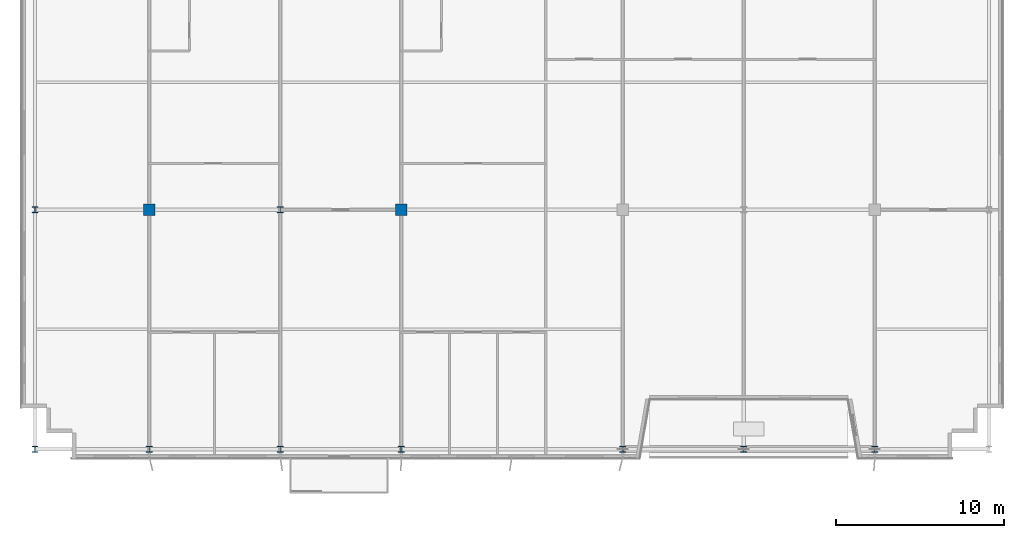
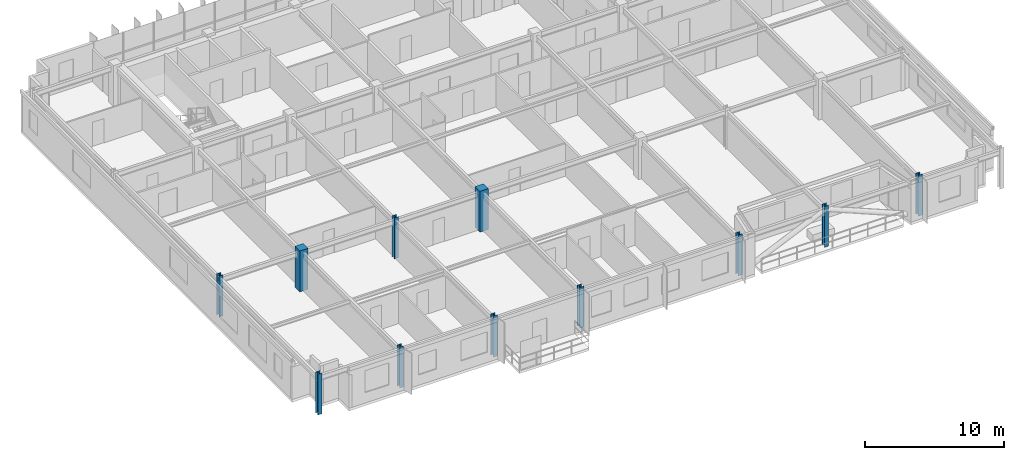
# One storey, part 1 of 23: 11 columns.
"""IFC4 building model written with IfcOpenShell, lengths in metres."""

from ifc_helpers import new_model, si_unit, direction, frame, origin, origin_2d, place, context, subcontext, project, spatial, rectangle, i_section, extrude, source, transform, mapped, material, material_profile, profile_set, type_object, element, save


model = new_model("IFC4")

# Units and contexts
model_context = context("Model", 3, precision=1e-05, world=origin(), true_north=direction((0.0, 1.0)))
body_context = subcontext(model_context, "Body", "Model", "MODEL_VIEW")
ifc_project = project(units=[si_unit("LENGTHUNIT", "METRE"), si_unit("AREAUNIT", "SQUARE_METRE"), si_unit("VOLUMEUNIT", "CUBIC_METRE"), si_unit("PLANEANGLEUNIT", "RADIAN"), si_unit("MASSUNIT", "GRAM", prefix="KILO")], contexts=[model_context])

# Site, building, storey
site_placement = place(None, origin())
site = spatial("IfcSite", under=ifc_project, at=site_placement, CompositionType="ELEMENT")
building_placement = place(site_placement, origin())
building = spatial("IfcBuilding", under=site, at=building_placement, Name="Trelvane Seafront Commons", CompositionType="ELEMENT")
storey_placement = place(building_placement, frame((0.0, 0.0, 230.10009765625)))
storey = spatial("IfcBuildingStorey", under=building, at=storey_placement, Name="L60", CompositionType="ELEMENT", Elevation=230.10009765625)

# Columns
ifc_material_1 = material(Name="Concrete C50/60", Category="concrete")
ifc_material_profile_1 = material_profile(ifc_material_1, rectangle(XDim=0.699951171875, YDim=0.699951171875, at=origin_2d()), Name="RC-700x700")
ifc_profile_set_1 = profile_set([ifc_material_profile_1], Name="Concrete C50/60")
column_type_1 = type_object("IfcColumnType", Name="STR-COL-RC700", PredefinedType="COLUMN", material=ifc_profile_set_1)
shared_shape_1 = source(origin(), body_context, "Body", "SweptSolid", [
    extrude(rectangle(XDim=0.699951171875, YDim=0.699951171875, at=origin_2d()), origin(), (0.0, 0.0, 1.0), 3.599853515625),
])
for number, where, z_axis, x_axis, name in (
    (1, (15.60009765625, 18.199951171875, 0.0), (0.0, 0.0, 1.0), (1.0, 0.0, 0.0), "L60 Column TC-M15.6"),
    (2, (30.60009765625, 18.199951171875, 0.0), (0.0, 0.0, 1.0), (1.0, 0.0, 0.0), "L60 Column TC-M30.6"),
):
    element("IfcColumn", number, at=place(storey_placement, frame(where, z_axis=z_axis, x_axis=x_axis)), inside=storey, type_object=column_type_1, Name=name, PredefinedType="COLUMN", context=body_context, shape_type="MappedRepresentation", body=[
        mapped(shared_shape_1, transform((0.0, 0.0, 0.0), x_axis=(1.0, 0.0, 0.0), y_axis=(0.0, 1.0, 0.0), z_axis=(0.0, 0.0, 1.0), scale=1.0)),
    ])
ifc_material_2 = material(Name="Steel SM355 (S355)", Category="steel")
ifc_material_profile_2 = material_profile(ifc_material_2, i_section(OverallWidth=0.35009765625, OverallDepth=0.35009765625, WebThickness=0.01806640625, FlangeThickness=0.028076171875, at=origin_2d()), Name="HD-350x350x18x28")
ifc_profile_set_2 = profile_set([ifc_material_profile_2], Name="Steel SM355 (S355)")
column_type_2 = type_object("IfcColumnType", Name="STR-COL-HD350", PredefinedType="COLUMN", material=ifc_profile_set_2)
shared_shape_2 = source(origin(), body_context, "Body", "SweptSolid", [
    extrude(i_section(OverallWidth=0.35009765625, OverallDepth=0.35009765625, WebThickness=0.01806640625, FlangeThickness=0.028076171875, at=origin_2d()), origin(), (0.0, 0.0, 1.0), 3.599853515625),
])
for number, where, z_axis, x_axis, name in (
    (3, (8.800048828125, 3.949951171875, 0.0), (0.0, 0.0, 1.0), (1.0, 0.0, 0.0), "L60 Column TC-S8.8"),
    (4, (8.800048828125, 18.199951171875, 0.0), (0.0, 0.0, 1.0), (1.0, 0.0, 0.0), "L60 Column TC-M8.8"),
    (5, (15.60009765625, 3.949951171875, 0.0), (0.0, 0.0, 1.0), (1.0, 0.0, 0.0), "L60 Column TC-S15.6"),
    (6, (23.39990234375, 3.949951171875, 0.0), (0.0, 0.0, 1.0), (1.0, 0.0, 0.0), "L60 Column TC-S23.4"),
    (7, (23.39990234375, 18.199951171875, 0.0), (0.0, 0.0, 1.0), (1.0, 0.0, 0.0), "L60 Column TC-M23.4"),
    (8, (30.60009765625, 3.949951171875, 0.0), (0.0, 0.0, 1.0), (1.0, 0.0, 0.0), "L60 Column TC-S30.6"),
    (9, (43.800048828125, 3.949951171875, 0.0), (0.0, 0.0, 1.0), (1.0, 0.0, 0.0), "L60 Column TC-S43.8"),
    (10, (51.0, 3.949951171875, 0.0), (0.0, 0.0, 1.0), (1.0, 0.0, 0.0), "L60 Column TC-S51.0"),
    (11, (58.800048828125, 3.949951171875, 0.0), (0.0, 0.0, 1.0), (1.0, 0.0, 0.0), "L60 Column TC-S58.8"),
):
    element("IfcColumn", number, at=place(storey_placement, frame(where, z_axis=z_axis, x_axis=x_axis)), inside=storey, type_object=column_type_2, Name=name, PredefinedType="COLUMN", context=body_context, shape_type="MappedRepresentation", body=[
        mapped(shared_shape_2, transform((0.0, 0.0, 0.0), x_axis=(1.0, 0.0, 0.0), y_axis=(0.0, 1.0, 0.0), z_axis=(0.0, 0.0, 1.0), scale=1.0)),
    ])

save(model, "model.ifc")
